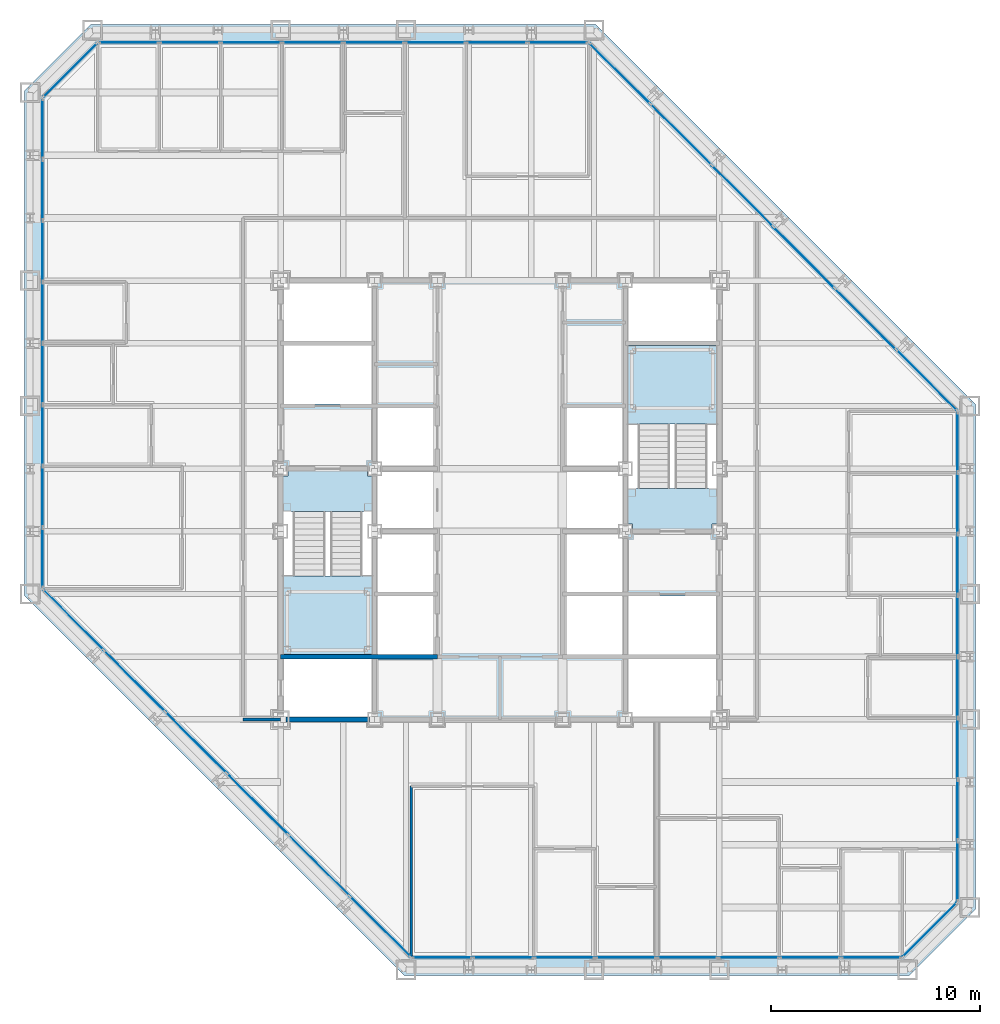
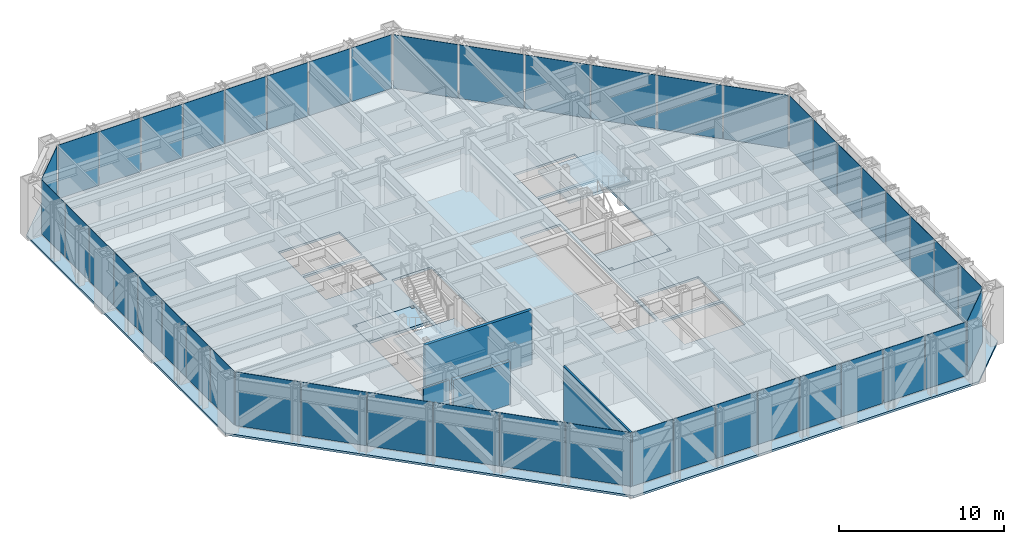
# One storey, part 9 of 16: 46 plates, 5 slabs, 4 walls, 10 elements without a shape of their own.
"""IFC4 building model written with IfcOpenShell, lengths in metres."""

from ifc_helpers import new_model, si_unit, direction, frame, frame_2d, origin, origin_2d, place, context, subcontext, project, spatial, polyline, rectangle, outline, extrude, material, layer, layer_set, type_object, element, aggregate, save


model = new_model("IFC4")

# Units and contexts
model_context = context("Model", 3, precision=1e-05, world=origin(), true_north=direction((0.0, 1.0)))
body_context = subcontext(model_context, "Body", "Model", "MODEL_VIEW")
ifc_project = project(units=[si_unit("LENGTHUNIT", "METRE"), si_unit("AREAUNIT", "SQUARE_METRE"), si_unit("VOLUMEUNIT", "CUBIC_METRE"), si_unit("PLANEANGLEUNIT", "RADIAN"), si_unit("MASSUNIT", "GRAM", prefix="KILO")], contexts=[model_context])

# Site, building, storey
site_placement = place(None, origin())
site = spatial("IfcSite", under=ifc_project, at=site_placement, CompositionType="ELEMENT")
building_placement = place(site_placement, origin())
building = spatial("IfcBuilding", under=site, at=building_placement, Name="Chuquiago Exchange Tower", CompositionType="ELEMENT")
storey_placement = place(building_placement, frame((0.0, 0.0, 119.39990234375)))
storey = spatial("IfcBuildingStorey", under=building, at=storey_placement, Name="L25", CompositionType="ELEMENT", Elevation=119.39990234375)

# Curtain wall, plates
ifc_material_1 = material(Name="Aluminium curtain wall system", Category="aluminium")
ifc_layer_1 = layer(ifc_material_1, 0.22509765625)
ifc_layer_set_1 = layer_set([ifc_layer_1], Name="CW2 office curtain wall")
curtain_wall_type_1 = type_object("IfcCurtainWallType", Name="CW2 office curtain wall", PredefinedType="NOTDEFINED", material=ifc_layer_set_1)
curtain_wall_1_placement = place(storey_placement, origin())
curtain_wall_1 = element("IfcCurtainWall", 1, at=curtain_wall_1_placement, inside=storey, type_object=curtain_wall_type_1, Name="CW2 curtain wall L25", PredefinedType="NOTDEFINED")
ifc_material_2 = material(Name="Glass, insulating unit", Category="glass")
ifc_layer_2 = layer(ifc_material_2, 0.030029296875)
ifc_layer_set_2 = layer_set([ifc_layer_2], Name="CW2-P panel 30")
plate_type_1 = type_object("IfcPlateType", Name="CW2-P panel 30", PredefinedType="CURTAIN_PANEL", material=ifc_layer_set_2)
plate_1_placement = place(storey_placement, frame((25.59326171875, 0.60009765625, 0.06494140625), z_axis=(0.0, 0.0, 1.0), x_axis=(1.0, 0.0, 0.0)))
plate_1 = element("IfcPlate", 2, at=plate_1_placement, type_object=plate_type_1, Name="CW2 panel 3.1", PredefinedType="CURTAIN_PANEL", context=body_context, shape_type="SweptSolid", body=[
    extrude(rectangle(XDim=2.872802734375, YDim=0.030029296875, at=origin_2d()), origin(), (0.0, 0.0, 1.0), 3.97509765625),
])
plate_2_placement = place(storey_placement, frame((34.40673828125, 0.60009765625, 0.06494140625), z_axis=(0.0, 0.0, 1.0), x_axis=(1.0, 0.0, 0.0)))
plate_2 = element("IfcPlate", 3, at=plate_2_placement, type_object=plate_type_1, Name="CW2 panel 6.1", PredefinedType="CURTAIN_PANEL", context=body_context, shape_type="SweptSolid", body=[
    extrude(rectangle(XDim=2.872802734375, YDim=0.030029296875, at=origin_2d()), origin(), (0.0, 0.0, 1.0), 3.97509765625),
])

curtain_wall_2_placement = place(storey_placement, origin())
curtain_wall_2 = element("IfcCurtainWall", 4, at=curtain_wall_2_placement, inside=storey, type_object=curtain_wall_type_1, Name="CW2 curtain wall L25", PredefinedType="NOTDEFINED")
plate_3_placement = place(storey_placement, frame((44.39990234375, 10.59326171875, 0.06494140625), z_axis=(0.0, 0.0, 1.0), x_axis=(0.0, 1.0, 0.0)))
plate_3 = element("IfcPlate", 5, at=plate_3_placement, type_object=plate_type_1, Name="CW2 panel 3.1", PredefinedType="CURTAIN_PANEL", context=body_context, shape_type="SweptSolid", body=[
    extrude(rectangle(XDim=2.872802734375, YDim=0.030029296875, at=origin_2d()), origin(), (0.0, 0.0, 1.0), 3.97509765625),
])
plate_4_placement = place(storey_placement, frame((44.39990234375, 19.40673828125, 0.06494140625), z_axis=(0.0, 0.0, 1.0), x_axis=(0.0, 1.0, 0.0)))
plate_4 = element("IfcPlate", 6, at=plate_4_placement, type_object=plate_type_1, Name="CW2 panel 6.1", PredefinedType="CURTAIN_PANEL", context=body_context, shape_type="SweptSolid", body=[
    extrude(rectangle(XDim=2.872802734375, YDim=0.030029296875, at=origin_2d()), origin(), (0.0, 0.0, 1.0), 3.97509765625),
])

curtain_wall_3_placement = place(storey_placement, origin())
curtain_wall_3 = element("IfcCurtainWall", 7, at=curtain_wall_3_placement, inside=storey, type_object=curtain_wall_type_1, Name="CW2 curtain wall L25", PredefinedType="NOTDEFINED")
plate_5_placement = place(storey_placement, frame((19.40673828125, 44.39990234375, 0.06494140625), z_axis=(0.0, 0.0, 1.0), x_axis=(-1.0, 0.0, 0.0)))
plate_5 = element("IfcPlate", 8, at=plate_5_placement, type_object=plate_type_1, Name="CW2 panel 3.1", PredefinedType="CURTAIN_PANEL", context=body_context, shape_type="SweptSolid", body=[
    extrude(rectangle(XDim=2.872802734375, YDim=0.030029296875, at=origin_2d()), origin(), (0.0, 0.0, 1.0), 3.97509765625),
])
plate_6_placement = place(storey_placement, frame((10.59326171875, 44.39990234375, 0.06494140625), z_axis=(0.0, 0.0, 1.0), x_axis=(-1.0, 0.0, 0.0)))
plate_6 = element("IfcPlate", 9, at=plate_6_placement, type_object=plate_type_1, Name="CW2 panel 6.1", PredefinedType="CURTAIN_PANEL", context=body_context, shape_type="SweptSolid", body=[
    extrude(rectangle(XDim=2.872802734375, YDim=0.030029296875, at=origin_2d()), origin(), (0.0, 0.0, 1.0), 3.97509765625),
])

curtain_wall_4_placement = place(storey_placement, origin())
curtain_wall_4 = element("IfcCurtainWall", 10, at=curtain_wall_4_placement, inside=storey, type_object=curtain_wall_type_1, Name="CW2 curtain wall L25", PredefinedType="NOTDEFINED")
plate_7_placement = place(storey_placement, frame((0.60009765625, 34.40673828125, 0.06494140625), z_axis=(0.0, 0.0, 1.0), x_axis=(0.0, -1.0, 0.0)))
plate_7 = element("IfcPlate", 11, at=plate_7_placement, type_object=plate_type_1, Name="CW2 panel 3.1", PredefinedType="CURTAIN_PANEL", context=body_context, shape_type="SweptSolid", body=[
    extrude(rectangle(XDim=2.872802734375, YDim=0.030029296875, at=origin_2d()), origin(), (0.0, 0.0, 1.0), 3.97509765625),
])
plate_8_placement = place(storey_placement, frame((0.60009765625, 25.59326171875, 0.06494140625), z_axis=(0.0, 0.0, 1.0), x_axis=(0.0, -1.0, 0.0)))
plate_8 = element("IfcPlate", 12, at=plate_8_placement, type_object=plate_type_1, Name="CW2 panel 6.1", PredefinedType="CURTAIN_PANEL", context=body_context, shape_type="SweptSolid", body=[
    extrude(rectangle(XDim=2.872802734375, YDim=0.030029296875, at=origin_2d()), origin(), (0.0, 0.0, 1.0), 3.97509765625),
])

# Plate
ifc_material_3 = material(Name="Insulated spandrel panel, pale anodised aluminium", Category="aluminium")
ifc_layer_3 = layer(ifc_material_3, 0.030029296875)
ifc_layer_set_3 = layer_set([ifc_layer_3], Name="CW2-P spandrel panel 30")
plate_type_2 = type_object("IfcPlateType", Name="CW2-P spandrel panel 30", PredefinedType="CURTAIN_PANEL", material=ifc_layer_set_3)
plate_9_placement = place(storey_placement, frame((19.733642578125, 0.60009765625, 0.06494140625), z_axis=(0.0, 0.0, 1.0), x_axis=(1.0, 0.0, 0.0)))
plate_9 = element("IfcPlate", 13, at=plate_9_placement, type_object=plate_type_2, Name="CW2 panel 1.1", PredefinedType="CURTAIN_PANEL", context=body_context, shape_type="SweptSolid", body=[
    extrude(rectangle(XDim=2.84033203125, YDim=0.030029296875, at=origin_2d()), origin(), (0.0, 0.0, 1.0), 3.97509765625),
])

plate_10_placement = place(storey_placement, frame((22.6552734375, 0.60009765625, 0.06494140625), z_axis=(0.0, 0.0, 1.0), x_axis=(1.0, 0.0, 0.0)))
plate_10 = element("IfcPlate", 14, at=plate_10_placement, type_object=plate_type_2, Name="CW2 panel 2.1", PredefinedType="CURTAIN_PANEL", context=body_context, shape_type="SweptSolid", body=[
    extrude(rectangle(XDim=2.872802734375, YDim=0.030029296875, at=origin_2d()), origin(), (0.0, 0.0, 1.0), 3.97509765625),
])

plate_11_placement = place(storey_placement, frame((28.531005859375, 0.60009765625, 0.06494140625), z_axis=(0.0, 0.0, 1.0), x_axis=(1.0, 0.0, 0.0)))
plate_11 = element("IfcPlate", 15, at=plate_11_placement, type_object=plate_type_2, Name="CW2 panel 4.1", PredefinedType="CURTAIN_PANEL", context=body_context, shape_type="SweptSolid", body=[
    extrude(rectangle(XDim=2.872802734375, YDim=0.030029296875, at=origin_2d()), origin(), (0.0, 0.0, 1.0), 3.97509765625),
])

plate_12_placement = place(storey_placement, frame((31.468994140625, 0.60009765625, 0.06494140625), z_axis=(0.0, 0.0, 1.0), x_axis=(1.0, 0.0, 0.0)))
plate_12 = element("IfcPlate", 16, at=plate_12_placement, type_object=plate_type_2, Name="CW2 panel 5.1", PredefinedType="CURTAIN_PANEL", context=body_context, shape_type="SweptSolid", body=[
    extrude(rectangle(XDim=2.872802734375, YDim=0.030029296875, at=origin_2d()), origin(), (0.0, 0.0, 1.0), 3.97509765625),
])

plate_13_placement = place(storey_placement, frame((37.3447265625, 0.60009765625, 0.06494140625), z_axis=(0.0, 0.0, 1.0), x_axis=(1.0, 0.0, 0.0)))
plate_13 = element("IfcPlate", 17, at=plate_13_placement, type_object=plate_type_2, Name="CW2 panel 7.1", PredefinedType="CURTAIN_PANEL", context=body_context, shape_type="SweptSolid", body=[
    extrude(rectangle(XDim=2.872802734375, YDim=0.030029296875, at=origin_2d()), origin(), (0.0, 0.0, 1.0), 3.97509765625),
])

plate_14_placement = place(storey_placement, frame((40.266357421875, 0.60009765625, 0.06494140625), z_axis=(0.0, 0.0, 1.0), x_axis=(1.0, 0.0, 0.0)))
plate_14 = element("IfcPlate", 18, at=plate_14_placement, type_object=plate_type_2, Name="CW2 panel 8.1", PredefinedType="CURTAIN_PANEL", context=body_context, shape_type="SweptSolid", body=[
    extrude(rectangle(XDim=2.84033203125, YDim=0.030029296875, at=origin_2d()), origin(), (0.0, 0.0, 1.0), 3.97509765625),
])

aggregate(curtain_wall_1, [plate_9, plate_10, plate_1, plate_11, plate_12, plate_2, plate_13, plate_14])

plate_15_placement = place(storey_placement, frame((44.39990234375, 4.733642578125, 0.06494140625), z_axis=(0.0, 0.0, 1.0), x_axis=(0.0, 1.0, 0.0)))
plate_15 = element("IfcPlate", 19, at=plate_15_placement, type_object=plate_type_2, Name="CW2 panel 1.1", PredefinedType="CURTAIN_PANEL", context=body_context, shape_type="SweptSolid", body=[
    extrude(rectangle(XDim=2.84033203125, YDim=0.030029296875, at=origin_2d()), origin(), (0.0, 0.0, 1.0), 3.97509765625),
])

plate_16_placement = place(storey_placement, frame((44.39990234375, 7.6552734375, 0.06494140625), z_axis=(0.0, 0.0, 1.0), x_axis=(0.0, 1.0, 0.0)))
plate_16 = element("IfcPlate", 20, at=plate_16_placement, type_object=plate_type_2, Name="CW2 panel 2.1", PredefinedType="CURTAIN_PANEL", context=body_context, shape_type="SweptSolid", body=[
    extrude(rectangle(XDim=2.872802734375, YDim=0.030029296875, at=origin_2d()), origin(), (0.0, 0.0, 1.0), 3.97509765625),
])

plate_17_placement = place(storey_placement, frame((44.39990234375, 13.531005859375, 0.06494140625), z_axis=(0.0, 0.0, 1.0), x_axis=(0.0, 1.0, 0.0)))
plate_17 = element("IfcPlate", 21, at=plate_17_placement, type_object=plate_type_2, Name="CW2 panel 4.1", PredefinedType="CURTAIN_PANEL", context=body_context, shape_type="SweptSolid", body=[
    extrude(rectangle(XDim=2.872802734375, YDim=0.030029296875, at=origin_2d()), origin(), (0.0, 0.0, 1.0), 3.97509765625),
])

plate_18_placement = place(storey_placement, frame((44.39990234375, 16.468994140625, 0.06494140625), z_axis=(0.0, 0.0, 1.0), x_axis=(0.0, 1.0, 0.0)))
plate_18 = element("IfcPlate", 22, at=plate_18_placement, type_object=plate_type_2, Name="CW2 panel 5.1", PredefinedType="CURTAIN_PANEL", context=body_context, shape_type="SweptSolid", body=[
    extrude(rectangle(XDim=2.872802734375, YDim=0.030029296875, at=origin_2d()), origin(), (0.0, 0.0, 1.0), 3.97509765625),
])

plate_19_placement = place(storey_placement, frame((44.39990234375, 22.3447265625, 0.06494140625), z_axis=(0.0, 0.0, 1.0), x_axis=(0.0, 1.0, 0.0)))
plate_19 = element("IfcPlate", 23, at=plate_19_placement, type_object=plate_type_2, Name="CW2 panel 7.1", PredefinedType="CURTAIN_PANEL", context=body_context, shape_type="SweptSolid", body=[
    extrude(rectangle(XDim=2.872802734375, YDim=0.030029296875, at=origin_2d()), origin(), (0.0, 0.0, 1.0), 3.97509765625),
])

plate_20_placement = place(storey_placement, frame((44.39990234375, 25.266357421875, 0.06494140625), z_axis=(0.0, 0.0, 1.0), x_axis=(0.0, 1.0, 0.0)))
plate_20 = element("IfcPlate", 24, at=plate_20_placement, type_object=plate_type_2, Name="CW2 panel 8.1", PredefinedType="CURTAIN_PANEL", context=body_context, shape_type="SweptSolid", body=[
    extrude(rectangle(XDim=2.84033203125, YDim=0.030029296875, at=origin_2d()), origin(), (0.0, 0.0, 1.0), 3.97509765625),
])

aggregate(curtain_wall_2, [plate_15, plate_16, plate_3, plate_17, plate_18, plate_4, plate_19, plate_20])

plate_21_placement = place(storey_placement, frame((25.266357421875, 44.39990234375, 0.06494140625), z_axis=(0.0, 0.0, 1.0), x_axis=(-1.0, 0.0, 0.0)))
plate_21 = element("IfcPlate", 25, at=plate_21_placement, type_object=plate_type_2, Name="CW2 panel 1.1", PredefinedType="CURTAIN_PANEL", context=body_context, shape_type="SweptSolid", body=[
    extrude(rectangle(XDim=2.84033203125, YDim=0.030029296875, at=origin_2d()), origin(), (0.0, 0.0, 1.0), 3.97509765625),
])

plate_22_placement = place(storey_placement, frame((22.3447265625, 44.39990234375, 0.06494140625), z_axis=(0.0, 0.0, 1.0), x_axis=(-1.0, 0.0, 0.0)))
plate_22 = element("IfcPlate", 26, at=plate_22_placement, type_object=plate_type_2, Name="CW2 panel 2.1", PredefinedType="CURTAIN_PANEL", context=body_context, shape_type="SweptSolid", body=[
    extrude(rectangle(XDim=2.872802734375, YDim=0.030029296875, at=origin_2d()), origin(), (0.0, 0.0, 1.0), 3.97509765625),
])

plate_23_placement = place(storey_placement, frame((16.468994140625, 44.39990234375, 0.06494140625), z_axis=(0.0, 0.0, 1.0), x_axis=(-1.0, 0.0, 0.0)))
plate_23 = element("IfcPlate", 27, at=plate_23_placement, type_object=plate_type_2, Name="CW2 panel 4.1", PredefinedType="CURTAIN_PANEL", context=body_context, shape_type="SweptSolid", body=[
    extrude(rectangle(XDim=2.872802734375, YDim=0.030029296875, at=origin_2d()), origin(), (0.0, 0.0, 1.0), 3.97509765625),
])

plate_24_placement = place(storey_placement, frame((13.531005859375, 44.39990234375, 0.06494140625), z_axis=(0.0, 0.0, 1.0), x_axis=(-1.0, 0.0, 0.0)))
plate_24 = element("IfcPlate", 28, at=plate_24_placement, type_object=plate_type_2, Name="CW2 panel 5.1", PredefinedType="CURTAIN_PANEL", context=body_context, shape_type="SweptSolid", body=[
    extrude(rectangle(XDim=2.872802734375, YDim=0.030029296875, at=origin_2d()), origin(), (0.0, 0.0, 1.0), 3.97509765625),
])

plate_25_placement = place(storey_placement, frame((7.6552734375, 44.39990234375, 0.06494140625), z_axis=(0.0, 0.0, 1.0), x_axis=(-1.0, 0.0, 0.0)))
plate_25 = element("IfcPlate", 29, at=plate_25_placement, type_object=plate_type_2, Name="CW2 panel 7.1", PredefinedType="CURTAIN_PANEL", context=body_context, shape_type="SweptSolid", body=[
    extrude(rectangle(XDim=2.872802734375, YDim=0.030029296875, at=origin_2d()), origin(), (0.0, 0.0, 1.0), 3.97509765625),
])

plate_26_placement = place(storey_placement, frame((4.733642578125, 44.39990234375, 0.06494140625), z_axis=(0.0, 0.0, 1.0), x_axis=(-1.0, 0.0, 0.0)))
plate_26 = element("IfcPlate", 30, at=plate_26_placement, type_object=plate_type_2, Name="CW2 panel 8.1", PredefinedType="CURTAIN_PANEL", context=body_context, shape_type="SweptSolid", body=[
    extrude(rectangle(XDim=2.84033203125, YDim=0.030029296875, at=origin_2d()), origin(), (0.0, 0.0, 1.0), 3.97509765625),
])

aggregate(curtain_wall_3, [plate_21, plate_22, plate_5, plate_23, plate_24, plate_6, plate_25, plate_26])

plate_27_placement = place(storey_placement, frame((0.60009765625, 40.266357421875, 0.06494140625), z_axis=(0.0, 0.0, 1.0), x_axis=(0.0, -1.0, 0.0)))
plate_27 = element("IfcPlate", 31, at=plate_27_placement, type_object=plate_type_2, Name="CW2 panel 1.1", PredefinedType="CURTAIN_PANEL", context=body_context, shape_type="SweptSolid", body=[
    extrude(rectangle(XDim=2.84033203125, YDim=0.030029296875, at=origin_2d()), origin(), (0.0, 0.0, 1.0), 3.97509765625),
])

plate_28_placement = place(storey_placement, frame((0.60009765625, 37.3447265625, 0.06494140625), z_axis=(0.0, 0.0, 1.0), x_axis=(0.0, -1.0, 0.0)))
plate_28 = element("IfcPlate", 32, at=plate_28_placement, type_object=plate_type_2, Name="CW2 panel 2.1", PredefinedType="CURTAIN_PANEL", context=body_context, shape_type="SweptSolid", body=[
    extrude(rectangle(XDim=2.872802734375, YDim=0.030029296875, at=origin_2d()), origin(), (0.0, 0.0, 1.0), 3.97509765625),
])

plate_29_placement = place(storey_placement, frame((0.60009765625, 31.468994140625, 0.06494140625), z_axis=(0.0, 0.0, 1.0), x_axis=(0.0, -1.0, 0.0)))
plate_29 = element("IfcPlate", 33, at=plate_29_placement, type_object=plate_type_2, Name="CW2 panel 4.1", PredefinedType="CURTAIN_PANEL", context=body_context, shape_type="SweptSolid", body=[
    extrude(rectangle(XDim=2.872802734375, YDim=0.030029296875, at=origin_2d()), origin(), (0.0, 0.0, 1.0), 3.97509765625),
])

plate_30_placement = place(storey_placement, frame((0.60009765625, 28.531005859375, 0.06494140625), z_axis=(0.0, 0.0, 1.0), x_axis=(0.0, -1.0, 0.0)))
plate_30 = element("IfcPlate", 34, at=plate_30_placement, type_object=plate_type_2, Name="CW2 panel 5.1", PredefinedType="CURTAIN_PANEL", context=body_context, shape_type="SweptSolid", body=[
    extrude(rectangle(XDim=2.872802734375, YDim=0.030029296875, at=origin_2d()), origin(), (0.0, 0.0, 1.0), 3.97509765625),
])

plate_31_placement = place(storey_placement, frame((0.60009765625, 22.6552734375, 0.06494140625), z_axis=(0.0, 0.0, 1.0), x_axis=(0.0, -1.0, 0.0)))
plate_31 = element("IfcPlate", 35, at=plate_31_placement, type_object=plate_type_2, Name="CW2 panel 7.1", PredefinedType="CURTAIN_PANEL", context=body_context, shape_type="SweptSolid", body=[
    extrude(rectangle(XDim=2.872802734375, YDim=0.030029296875, at=origin_2d()), origin(), (0.0, 0.0, 1.0), 3.97509765625),
])

plate_32_placement = place(storey_placement, frame((0.60009765625, 19.733642578125, 0.06494140625), z_axis=(0.0, 0.0, 1.0), x_axis=(0.0, -1.0, 0.0)))
plate_32 = element("IfcPlate", 36, at=plate_32_placement, type_object=plate_type_2, Name="CW2 panel 8.1", PredefinedType="CURTAIN_PANEL", context=body_context, shape_type="SweptSolid", body=[
    extrude(rectangle(XDim=2.84033203125, YDim=0.030029296875, at=origin_2d()), origin(), (0.0, 0.0, 1.0), 3.97509765625),
])

aggregate(curtain_wall_4, [plate_27, plate_28, plate_7, plate_29, plate_30, plate_8, plate_31, plate_32])

# Curtain wall, plate
ifc_material_4 = material(Name="Aluminium curtain wall system", Category="aluminium")
ifc_layer_4 = layer(ifc_material_4, 0.199951171875)
ifc_layer_set_4 = layer_set([ifc_layer_4], Name="CW3 facet curtain wall")
curtain_wall_type_2 = type_object("IfcCurtainWallType", Name="CW3 facet curtain wall", PredefinedType="NOTDEFINED", material=ifc_layer_set_4)
curtain_wall_5_placement = place(storey_placement, origin())
curtain_wall_5 = element("IfcCurtainWall", 37, at=curtain_wall_5_placement, inside=storey, type_object=curtain_wall_type_2, Name="CW3 curtain wall L25", PredefinedType="NOTDEFINED")
ifc_material_5 = material(Name="Insulated spandrel panel, pale anodised aluminium", Category="aluminium")
ifc_layer_5 = layer(ifc_material_5, 0.030029296875)
ifc_layer_set_5 = layer_set([ifc_layer_5], Name="CW3-P spandrel panel 30")
plate_type_3 = type_object("IfcPlateType", Name="CW3-P spandrel panel 30", PredefinedType="CURTAIN_PANEL", material=ifc_layer_set_5)
plate_33_placement = place(storey_placement, frame((43.07568359375, 1.92431640625, 0.06494140625), z_axis=(0.0, 0.0, 1.0), x_axis=(0.707106781187, 0.707106781187, 0.0)))
plate_33 = element("IfcPlate", 38, at=plate_33_placement, type_object=plate_type_3, Name="CW3 panel 1.1", PredefinedType="CURTAIN_PANEL", context=body_context, shape_type="SweptSolid", body=[
    extrude(rectangle(XDim=3.615478515625, YDim=0.030029296875, at=origin_2d()), origin(), (0.0, 0.0, 1.0), 3.97509765625),
])
aggregate(curtain_wall_5, [plate_33])

# Curtain wall, plates
curtain_wall_6_placement = place(storey_placement, origin())
curtain_wall_6 = element("IfcCurtainWall", 39, at=curtain_wall_6_placement, inside=storey, type_object=curtain_wall_type_2, Name="CW3 curtain wall L25", PredefinedType="NOTDEFINED")
plate_34_placement = place(storey_placement, frame((42.917724609375, 28.233642578125, 0.06494140625), z_axis=(0.0, 0.0, 1.0), x_axis=(-0.707106781187, 0.707106781187, 0.0)))
plate_34 = element("IfcPlate", 40, at=plate_34_placement, type_object=plate_type_3, Name="CW3 panel 1.1", PredefinedType="CURTAIN_PANEL", context=body_context, shape_type="SweptSolid", body=[
    extrude(rectangle(XDim=4.062255859375, YDim=0.030029296875, at=origin_2d()), origin(), (0.0, 0.0, 1.0), 3.97509765625),
])
plate_35_placement = place(storey_placement, frame((39.98779296875, 31.16357421875, 0.06494140625), z_axis=(0.0, 0.0, 1.0), x_axis=(-0.707106781187, 0.707106781187, 0.0)))
plate_35 = element("IfcPlate", 41, at=plate_35_placement, type_object=plate_type_3, Name="CW3 panel 2.1", PredefinedType="CURTAIN_PANEL", context=body_context, shape_type="SweptSolid", body=[
    extrude(rectangle(XDim=4.0947265625, YDim=0.030029296875, at=origin_2d()), origin(), (0.0, 0.0, 1.0), 3.97509765625),
])
plate_36_placement = place(storey_placement, frame((37.04638671875, 34.10498046875, 0.06494140625), z_axis=(0.0, 0.0, 1.0), x_axis=(-0.707106781187, 0.707106781187, 0.0)))
plate_36 = element("IfcPlate", 42, at=plate_36_placement, type_object=plate_type_3, Name="CW3 panel 3.1", PredefinedType="CURTAIN_PANEL", context=body_context, shape_type="SweptSolid", body=[
    extrude(rectangle(XDim=4.0947265625, YDim=0.030029296875, at=origin_2d()), origin(), (0.0, 0.0, 1.0), 3.97509765625),
])
plate_37_placement = place(storey_placement, frame((34.10498046875, 37.04638671875, 0.06494140625), z_axis=(0.0, 0.0, 1.0), x_axis=(-0.707106781187, 0.707106781187, 0.0)))
plate_37 = element("IfcPlate", 43, at=plate_37_placement, type_object=plate_type_3, Name="CW3 panel 4.1", PredefinedType="CURTAIN_PANEL", context=body_context, shape_type="SweptSolid", body=[
    extrude(rectangle(XDim=4.0947265625, YDim=0.030029296875, at=origin_2d()), origin(), (0.0, 0.0, 1.0), 3.97509765625),
])
plate_38_placement = place(storey_placement, frame((31.16357421875, 39.98779296875, 0.06494140625), z_axis=(0.0, 0.0, 1.0), x_axis=(-0.707106781187, 0.707106781187, 0.0)))
plate_38 = element("IfcPlate", 44, at=plate_38_placement, type_object=plate_type_3, Name="CW3 panel 5.1", PredefinedType="CURTAIN_PANEL", context=body_context, shape_type="SweptSolid", body=[
    extrude(rectangle(XDim=4.0947265625, YDim=0.030029296875, at=origin_2d()), origin(), (0.0, 0.0, 1.0), 3.97509765625),
])
plate_39_placement = place(storey_placement, frame((28.233642578125, 42.917724609375, 0.06494140625), z_axis=(0.0, 0.0, 1.0), x_axis=(-0.707106781187, 0.707106781187, 0.0)))
plate_39 = element("IfcPlate", 45, at=plate_39_placement, type_object=plate_type_3, Name="CW3 panel 6.1", PredefinedType="CURTAIN_PANEL", context=body_context, shape_type="SweptSolid", body=[
    extrude(rectangle(XDim=4.062255859375, YDim=0.030029296875, at=origin_2d()), origin(), (0.0, 0.0, 1.0), 3.97509765625),
])
aggregate(curtain_wall_6, [plate_34, plate_35, plate_36, plate_37, plate_38, plate_39])

# Curtain wall, plate
curtain_wall_7_placement = place(storey_placement, origin())
curtain_wall_7 = element("IfcCurtainWall", 46, at=curtain_wall_7_placement, inside=storey, type_object=curtain_wall_type_2, Name="CW3 curtain wall L25", PredefinedType="NOTDEFINED")
plate_40_placement = place(storey_placement, frame((1.92431640625, 43.07568359375, 0.06494140625), z_axis=(0.0, 0.0, 1.0), x_axis=(-0.707106781187, -0.707106781187, 0.0)))
plate_40 = element("IfcPlate", 47, at=plate_40_placement, type_object=plate_type_3, Name="CW3 panel 1.1", PredefinedType="CURTAIN_PANEL", context=body_context, shape_type="SweptSolid", body=[
    extrude(rectangle(XDim=3.615478515625, YDim=0.030029296875, at=origin_2d()), origin(), (0.0, 0.0, 1.0), 3.97509765625),
])
aggregate(curtain_wall_7, [plate_40])

# Curtain wall, plates
curtain_wall_8_placement = place(storey_placement, origin())
curtain_wall_8 = element("IfcCurtainWall", 48, at=curtain_wall_8_placement, inside=storey, type_object=curtain_wall_type_2, Name="CW3 curtain wall L25", PredefinedType="NOTDEFINED")
plate_41_placement = place(storey_placement, frame((2.082275390625, 16.766357421875, 0.06494140625), z_axis=(0.0, 0.0, 1.0), x_axis=(0.707106781187, -0.707106781187, 0.0)))
plate_41 = element("IfcPlate", 49, at=plate_41_placement, type_object=plate_type_3, Name="CW3 panel 1.1", PredefinedType="CURTAIN_PANEL", context=body_context, shape_type="SweptSolid", body=[
    extrude(rectangle(XDim=4.062255859375, YDim=0.030029296875, at=origin_2d()), origin(), (0.0, 0.0, 1.0), 3.97509765625),
])
plate_42_placement = place(storey_placement, frame((5.01220703125, 13.83642578125, 0.06494140625), z_axis=(0.0, 0.0, 1.0), x_axis=(0.707106781187, -0.707106781187, 0.0)))
plate_42 = element("IfcPlate", 50, at=plate_42_placement, type_object=plate_type_3, Name="CW3 panel 2.1", PredefinedType="CURTAIN_PANEL", context=body_context, shape_type="SweptSolid", body=[
    extrude(rectangle(XDim=4.0947265625, YDim=0.030029296875, at=origin_2d()), origin(), (0.0, 0.0, 1.0), 3.97509765625),
])
plate_43_placement = place(storey_placement, frame((7.95361328125, 10.89501953125, 0.06494140625), z_axis=(0.0, 0.0, 1.0), x_axis=(0.707106781187, -0.707106781187, 0.0)))
plate_43 = element("IfcPlate", 51, at=plate_43_placement, type_object=plate_type_3, Name="CW3 panel 3.1", PredefinedType="CURTAIN_PANEL", context=body_context, shape_type="SweptSolid", body=[
    extrude(rectangle(XDim=4.0947265625, YDim=0.030029296875, at=origin_2d()), origin(), (0.0, 0.0, 1.0), 3.97509765625),
])
plate_44_placement = place(storey_placement, frame((10.89501953125, 7.95361328125, 0.06494140625), z_axis=(0.0, 0.0, 1.0), x_axis=(0.707106781187, -0.707106781187, 0.0)))
plate_44 = element("IfcPlate", 52, at=plate_44_placement, type_object=plate_type_3, Name="CW3 panel 4.1", PredefinedType="CURTAIN_PANEL", context=body_context, shape_type="SweptSolid", body=[
    extrude(rectangle(XDim=4.0947265625, YDim=0.030029296875, at=origin_2d()), origin(), (0.0, 0.0, 1.0), 3.97509765625),
])
plate_45_placement = place(storey_placement, frame((13.83642578125, 5.01220703125, 0.06494140625), z_axis=(0.0, 0.0, 1.0), x_axis=(0.707106781187, -0.707106781187, 0.0)))
plate_45 = element("IfcPlate", 53, at=plate_45_placement, type_object=plate_type_3, Name="CW3 panel 5.1", PredefinedType="CURTAIN_PANEL", context=body_context, shape_type="SweptSolid", body=[
    extrude(rectangle(XDim=4.0947265625, YDim=0.030029296875, at=origin_2d()), origin(), (0.0, 0.0, 1.0), 3.97509765625),
])
plate_46_placement = place(storey_placement, frame((16.766357421875, 2.082275390625, 0.06494140625), z_axis=(0.0, 0.0, 1.0), x_axis=(0.707106781187, -0.707106781187, 0.0)))
plate_46 = element("IfcPlate", 54, at=plate_46_placement, type_object=plate_type_3, Name="CW3 panel 6.1", PredefinedType="CURTAIN_PANEL", context=body_context, shape_type="SweptSolid", body=[
    extrude(rectangle(XDim=4.062255859375, YDim=0.030029296875, at=origin_2d()), origin(), (0.0, 0.0, 1.0), 3.97509765625),
])
aggregate(curtain_wall_8, [plate_41, plate_42, plate_43, plate_44, plate_45, plate_46])

# Slab
ifc_material_6 = material(Name="Concrete C30/37", Category="concrete")
ifc_layer_6 = layer(ifc_material_6, 0.159912109375)
ifc_layer_set_6 = layer_set([ifc_layer_6], Name="FS1 composite floor 160")
slab_type_1 = type_object("IfcSlabType", Name="FS1 composite floor 160", PredefinedType="FLOOR", material=ifc_layer_set_6)
slab_1_placement = place(storey_placement, frame((0.0, 0.0, -0.159912109375)))
element("IfcSlab", 55, at=slab_1_placement, inside=storey, type_object=slab_type_1, Name="L25 floor slab", PredefinedType="FLOOR", context=body_context, shape_type="SweptSolid", body=[
    extrude(outline(polyline([(17.896484375, -0.25), (-0.25, 17.896484375), (-0.25, 42.103515625), (2.896484375, 45.25), (27.103515625, 45.25), (45.25, 27.103515625), (45.25, 2.896484375), (42.103515625, -0.25), (17.896484375, -0.25)]), holes=[polyline([(16.39990234375, 15.10009765625), (12.10009765625, 15.10009765625), (12.10009765625, 23.89990234375), (16.39990234375, 23.89990234375), (16.39990234375, 15.10009765625)]), polyline([(32.89990234375, 21.10009765625), (28.60009765625, 21.10009765625), (28.60009765625, 29.89990234375), (32.89990234375, 29.89990234375), (32.89990234375, 21.10009765625)]), polyline([(16.39990234375, 12.10009765625), (12.10009765625, 12.10009765625), (12.10009765625, 14.89990234375), (16.39990234375, 14.89990234375), (16.39990234375, 12.10009765625)]), polyline([(16.39990234375, 30.10009765625), (12.10009765625, 30.10009765625), (12.10009765625, 32.89990234375), (16.39990234375, 32.89990234375), (16.39990234375, 30.10009765625)]), polyline([(32.89990234375, 12.10009765625), (28.60009765625, 12.10009765625), (28.60009765625, 14.89990234375), (32.89990234375, 14.89990234375), (32.89990234375, 12.10009765625)]), polyline([(32.89990234375, 30.10009765625), (28.60009765625, 30.10009765625), (28.60009765625, 32.89990234375), (32.89990234375, 32.89990234375), (32.89990234375, 30.10009765625)]), polyline([(16.39990234375, 27.10009765625), (12.10009765625, 27.10009765625), (12.10009765625, 29.89990234375), (16.39990234375, 29.89990234375), (16.39990234375, 27.10009765625)]), polyline([(32.89990234375, 15.10009765625), (28.60009765625, 15.10009765625), (28.60009765625, 17.89990234375), (32.89990234375, 17.89990234375), (32.89990234375, 15.10009765625)]), polyline([(19.39990234375, 15.10009765625), (16.60009765625, 15.10009765625), (16.60009765625, 26.89990234375), (19.39990234375, 26.89990234375), (19.39990234375, 15.10009765625)]), polyline([(28.39990234375, 15.10009765625), (25.60009765625, 15.10009765625), (25.60009765625, 26.89990234375), (28.39990234375, 26.89990234375), (28.39990234375, 15.10009765625)])]), origin(), (0.0, 0.0, 1.0), 0.159912109375),
])

# Stair, slabs
ifc_material_7 = material(Name="Concrete C30/37, precast", Category="concrete")
stair_type_1 = type_object("IfcStairType", Name="ST1 half-turn stair 4200", PredefinedType="HALF_TURN_STAIR", material=ifc_material_7)
stair_1_placement = place(storey_placement, origin())
stair_1 = element("IfcStair", 56, at=stair_1_placement, inside=storey, type_object=stair_type_1, Name="Stair ST1 L25", PredefinedType="HALF_TURN_STAIR")
ifc_material_8 = material(Name="Concrete C30/37, precast", Category="concrete")
ifc_layer_7 = layer(ifc_material_8, 0.199951171875)
ifc_layer_set_7 = layer_set([ifc_layer_7], Name="ST-L landing 200")
slab_type_2 = type_object("IfcSlabType", Name="ST-L landing 200", PredefinedType="LANDING", material=ifc_layer_set_7)
slab_2_placement = place(storey_placement, frame((0.0, 0.0, -0.199951171875)))
slab_2 = element("IfcSlab", 57, at=slab_2_placement, type_object=slab_type_2, Name="ST1 landing 1", PredefinedType="LANDING", context=body_context, shape_type="SweptSolid", body=[
    extrude(outline(polyline([(12.35009765625, 23.89990234375), (16.14990234375, 23.89990234375), (16.14990234375, 23.64990234375), (16.39990234375, 23.64990234375), (16.39990234375, 21.949951171875), (12.10009765625, 21.949951171875), (12.10009765625, 23.64990234375), (12.35009765625, 23.64990234375), (12.35009765625, 23.89990234375)])), origin(), (0.0, 0.0, 1.0), 0.199951171875),
])
slab_3_placement = place(storey_placement, frame((0.0, 0.0, 1.900146484375)))
slab_3 = element("IfcSlab", 58, at=slab_3_placement, type_object=slab_type_2, Name="ST1 landing 2", PredefinedType="LANDING", context=body_context, shape_type="SweptSolid", body=[
    extrude(outline(polyline([(12.10009765625, 18.8701171875), (16.39990234375, 18.8701171875), (16.39990234375, 15.10009765625), (12.10009765625, 15.10009765625), (12.10009765625, 18.8701171875)])), origin(), (0.0, 0.0, 1.0), 0.199951171875),
])
aggregate(stair_1, [slab_2, slab_3])

ifc_material_9 = material(Name="Concrete C30/37, precast", Category="concrete")
stair_type_2 = type_object("IfcStairType", Name="ST2 half-turn stair 4200", PredefinedType="HALF_TURN_STAIR", material=ifc_material_9)
stair_2_placement = place(storey_placement, origin())
stair_2 = element("IfcStair", 59, at=stair_2_placement, inside=storey, type_object=stair_type_2, Name="Stair ST2 L25", PredefinedType="HALF_TURN_STAIR")
slab_4_placement = place(storey_placement, frame((0.0, 0.0, -0.199951171875)))
slab_4 = element("IfcSlab", 60, at=slab_4_placement, type_object=slab_type_2, Name="ST2 landing 1", PredefinedType="LANDING", context=body_context, shape_type="SweptSolid", body=[
    extrude(outline(polyline([(32.64990234375, 21.35009765625), (32.64990234375, 21.10009765625), (28.85009765625, 21.10009765625), (28.85009765625, 21.35009765625), (28.60009765625, 21.35009765625), (28.60009765625, 23.050048828125), (32.89990234375, 23.050048828125), (32.89990234375, 21.35009765625), (32.64990234375, 21.35009765625)])), origin(), (0.0, 0.0, 1.0), 0.199951171875),
])
slab_5_placement = place(storey_placement, frame((0.0, 0.0, 1.900146484375)))
slab_5 = element("IfcSlab", 61, at=slab_5_placement, type_object=slab_type_2, Name="ST2 landing 2", PredefinedType="LANDING", context=body_context, shape_type="SweptSolid", body=[
    extrude(outline(polyline([(28.60009765625, 29.89990234375), (32.89990234375, 29.89990234375), (32.89990234375, 26.1298828125), (28.60009765625, 26.1298828125), (28.60009765625, 29.89990234375)])), origin(), (0.0, 0.0, 1.0), 0.199951171875),
])
aggregate(stair_2, [slab_4, slab_5])

# Walls
ifc_material_10 = material(Name="Concrete masonry, fully grouted", Category="masonry")
ifc_layer_8 = layer(ifc_material_10, 0.25)
ifc_layer_set_8 = layer_set([ifc_layer_8], Name="W1 core wall 250")
wall_type_1 = type_object("IfcWallType", Name="W1 core wall 250", PredefinedType="SOLIDWALL", material=ifc_layer_set_8)
wall_1_placement = place(storey_placement, frame((12.25, 12.0, 0.0), z_axis=(0.0, 0.0, 1.0), x_axis=(1.0, 0.0, 0.0)))
element("IfcWall", 62, at=wall_1_placement, inside=storey, type_object=wall_type_1, Name="CW-L25-01-0", PredefinedType="SOLIDWALL", context=body_context, shape_type="SweptSolid", body=[
    extrude(rectangle(XDim=4.0, YDim=0.25, at=frame_2d((2.0, 0.0))), origin(), (0.0, 0.0, 1.0), 3.181640625),
])
ifc_material_11 = material(Name="Gypsum board on steel studs, acoustic insulation", Category="steel")
ifc_layer_9 = layer(ifc_material_11, 0.14990234375)
ifc_layer_set_9 = layer_set([ifc_layer_9], Name="W11 corridor wall 150")
wall_type_2 = type_object("IfcWallType", Name="W11 corridor wall 150", PredefinedType="PARTITIONING", material=ifc_layer_set_9)
wall_2_placement = place(storey_placement, frame((10.199951171875, 12.0, 0.0), z_axis=(0.0, 0.0, 1.0), x_axis=(1.0, 0.0, 0.0)))
element("IfcWall", 63, at=wall_2_placement, inside=storey, type_object=wall_type_2, Name="PW-L25-CWS", PredefinedType="PARTITIONING", context=body_context, shape_type="SweptSolid", body=[
    extrude(rectangle(XDim=1.800048828125, YDim=0.14990234375, at=frame_2d((0.89990234375, 0.0))), origin(), (0.0, 0.0, 1.0), 3.2705078125),
])
ifc_material_12 = material(Name="Concrete masonry, fully grouted", Category="masonry")
ifc_layer_10 = layer(ifc_material_12, 0.199951171875)
ifc_layer_set_10 = layer_set([ifc_layer_10], Name="W2 shaft wall 200")
wall_type_3 = type_object("IfcWallType", Name="W2 shaft wall 200", PredefinedType="SOLIDWALL", material=ifc_layer_set_10)
wall_3_placement = place(storey_placement, frame((12.0, 15.0, 0.0), z_axis=(0.0, 0.0, 1.0), x_axis=(1.0, 0.0, 0.0)))
element("IfcWall", 64, at=wall_3_placement, inside=storey, type_object=wall_type_3, Name="CW-L25-03-0", PredefinedType="SOLIDWALL", context=body_context, shape_type="SweptSolid", body=[
    extrude(rectangle(XDim=7.5, YDim=0.199951171875, at=frame_2d((3.75, 0.0))), origin(), (0.0, 0.0, 1.0), 4.0400390625),
])
ifc_material_13 = material(Name="Gypsum board on steel studs", Category="steel")
ifc_layer_11 = layer(ifc_material_13, 0.1201171875)
ifc_layer_set_11 = layer_set([ifc_layer_11], Name="W4 partition 120")
wall_type_4 = type_object("IfcWallType", Name="W4 partition 120", PredefinedType="PARTITIONING", material=ifc_layer_set_11)
wall_4_placement = place(storey_placement, frame((18.24853515625, 0.666015625, 0.0), z_axis=(0.0, 0.0, 1.0), x_axis=(0.0, 1.0, 0.0)))
element("IfcWall", 65, at=wall_4_placement, inside=storey, type_object=wall_type_4, Name="PW-L25-S01825", PredefinedType="PARTITIONING", context=body_context, shape_type="SweptSolid", body=[
    extrude(rectangle(XDim=8.134033203125, YDim=0.1201171875, at=frame_2d((4.06689453125, 0.0))), origin(), (0.0, 0.0, 1.0), 4.0400390625),
])

save(model, "model.ifc")
